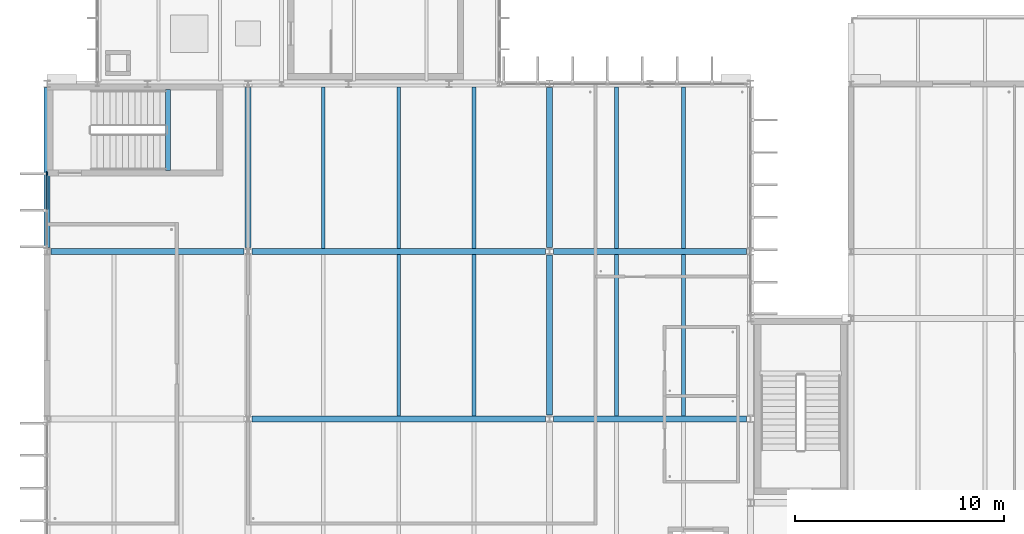
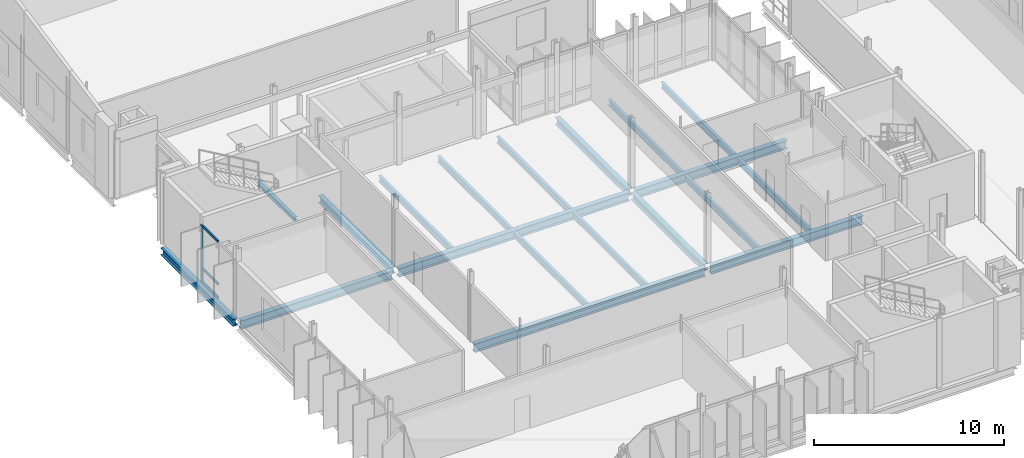
# One storey, part 19 of 93: 19 beams, 4 members, 1 element without a shape of its own.
"""IFC4 building model written with IfcOpenShell, lengths in metres."""

from ifc_helpers import new_model, si_unit, direction, frame, origin, origin_2d, place, context, subcontext, project, spatial, rectangle, i_section, extrude, material, material_profile, profile_set, type_object, element, aggregate, save


model = new_model("IFC4")

# Units and contexts
model_context = context("Model", 3, precision=1e-05, world=origin(), true_north=direction((0.0, 1.0)))
body_context = subcontext(model_context, "Body", "Model", "MODEL_VIEW")
ifc_project = project(units=[si_unit("LENGTHUNIT", "METRE"), si_unit("AREAUNIT", "SQUARE_METRE"), si_unit("VOLUMEUNIT", "CUBIC_METRE"), si_unit("PLANEANGLEUNIT", "RADIAN"), si_unit("MASSUNIT", "GRAM", prefix="KILO")], contexts=[model_context])

# Site, building, storey
site_placement = place(None, origin())
site = spatial("IfcSite", under=ifc_project, at=site_placement, CompositionType="ELEMENT")
building_placement = place(site_placement, origin())
building = spatial("IfcBuilding", under=site, at=building_placement, Name="Dunescarp Central Library", CompositionType="ELEMENT")
storey_placement = place(building_placement, frame((0.0, 0.0, 14.10009765625)))
storey = spatial("IfcBuildingStorey", under=building, at=storey_placement, Name="L03", CompositionType="ELEMENT", Elevation=14.10009765625)

# Curtain wall, members
ifc_material_1 = material(Name="Marine-grade anodised aluminium 6063-T6", Category="aluminium")
curtain_wall_type = type_object("IfcCurtainWallType", Name="ARC-CW-STICK", PredefinedType="NOTDEFINED", material=ifc_material_1)
curtain_wall_placement = place(storey_placement, origin())
curtain_wall = element("IfcCurtainWall", 1, at=curtain_wall_placement, inside=storey, type_object=curtain_wall_type, Name="L03 curtain wall CW-V1-022", PredefinedType="NOTDEFINED")
ifc_material_profile_1 = material_profile(ifc_material_1, rectangle(XDim=0.080078125, YDim=0.179931640625, at=origin_2d()), Name="AL 80x180")
ifc_profile_set_1 = profile_set([ifc_material_profile_1], Name="Marine-grade anodised aluminium 6063-T6")
member_type_1 = type_object("IfcMemberType", Name="ARC-CWM-180", PredefinedType="MULLION", material=ifc_profile_set_1)
member_1_placement = place(storey_placement, frame((0.0, 32.510009765625, 0.0), z_axis=(0.0, 0.0, 1.0), x_axis=(-1.0, 0.0, 0.0)))
member_1 = element("IfcMember", 2, at=member_1_placement, type_object=member_type_1, Name="CW-V1-022 mullion 3", PredefinedType="MULLION", context=body_context, shape_type="SweptSolid", body=[
    extrude(rectangle(XDim=0.080078125, YDim=0.179931640625, at=origin_2d()), origin(), (0.0, 0.0, 1.0), 3.6748046875),
])
ifc_material_profile_2 = material_profile(ifc_material_1, rectangle(XDim=0.080078125, YDim=0.14990234375, at=origin_2d()), Name="AL 80x150")
ifc_profile_set_2 = profile_set([ifc_material_profile_2], Name="Marine-grade anodised aluminium 6063-T6")
member_type_2 = type_object("IfcMemberType", Name="ARC-CWT-150", PredefinedType="USERDEFINED", material=ifc_profile_set_2)
member_2_placement = place(storey_placement, frame((0.0, 30.802490234375, 0.039794921875), z_axis=(0.0, 1.0, 0.0), x_axis=(-1.0, 0.0, 0.0)))
member_2 = element("IfcMember", 3, at=member_2_placement, type_object=member_type_2, Name="CW-V1-022 transom 2.1", ObjectType="TRANSOM", PredefinedType="USERDEFINED", context=body_context, shape_type="SweptSolid", body=[
    extrude(rectangle(XDim=0.080078125, YDim=0.14990234375, at=origin_2d()), origin(), (0.0, 0.0, 1.0), 1.66748046875),
])
member_3_placement = place(storey_placement, frame((0.0, 30.802490234375, 0.89990234375), z_axis=(0.0, 1.0, 0.0), x_axis=(-1.0, 0.0, 0.0)))
member_3 = element("IfcMember", 4, at=member_3_placement, type_object=member_type_2, Name="CW-V1-022 transom 2.2", ObjectType="TRANSOM", PredefinedType="USERDEFINED", context=body_context, shape_type="SweptSolid", body=[
    extrude(rectangle(XDim=0.080078125, YDim=0.14990234375, at=origin_2d()), origin(), (0.0, 0.0, 1.0), 1.66748046875),
])
member_4_placement = place(storey_placement, frame((0.0, 30.802490234375, 3.635009765625), z_axis=(0.0, 1.0, 0.0), x_axis=(-1.0, 0.0, 0.0)))
member_4 = element("IfcMember", 5, at=member_4_placement, type_object=member_type_2, Name="CW-V1-022 transom 2.3", ObjectType="TRANSOM", PredefinedType="USERDEFINED", context=body_context, shape_type="SweptSolid", body=[
    extrude(rectangle(XDim=0.080078125, YDim=0.14990234375, at=origin_2d()), origin(), (0.0, 0.0, 1.0), 1.66748046875),
])
aggregate(curtain_wall, [member_1, member_2, member_3, member_4])

# Beams
ifc_material_2 = material(Name="Steel S355JR", Category="steel")
ifc_material_profile_3 = material_profile(ifc_material_2, i_section(OverallWidth=0.300048828125, OverallDepth=0.449951171875, WebThickness=0.013916015625, FlangeThickness=0.02587890625, at=origin_2d()), Name="HEB 450")
ifc_profile_set_3 = profile_set([ifc_material_profile_3], Name="Steel S355JR")
beam_type_1 = type_object("IfcBeamType", Name="STR-BM-HEB450", PredefinedType="BEAM", material=ifc_profile_set_3)
for number, where, z_axis, x_axis, name in (
    (6, (0.0, 28.97802734375, -0.465087890625), (0.0, 1.0, 0.0), (-1.0, 0.0, 0.0), "L03 girder BM-L03-0128"),
    (7, (9.60009765625, 28.97802734375, -0.465087890625), (0.0, 1.0, 0.0), (-1.0, 0.0, 0.0), "L03 girder BM-L03-0129"),
    (8, (24.0, 20.97802734375, -0.465087890625), (0.0, 1.0, 0.0), (-1.0, 0.0, 0.0), "L03 girder BM-L03-0142"),
    (9, (24.0, 28.97802734375, -0.465087890625), (0.0, 1.0, 0.0), (-1.0, 0.0, 0.0), "L03 girder BM-L03-0147"),
):
    element("IfcBeam", number, at=place(storey_placement, frame(where, z_axis=z_axis, x_axis=x_axis)), inside=storey, type_object=beam_type_1, Name=name, PredefinedType="BEAM", context=body_context, shape_type="SweptSolid", body=[
        extrude(i_section(OverallWidth=0.300048828125, OverallDepth=0.449951171875, WebThickness=0.013916015625, FlangeThickness=0.02587890625, at=origin_2d()), origin(), (0.0, 0.0, 1.0), 7.64404296875),
    ])
ifc_material_profile_4 = material_profile(ifc_material_2, i_section(OverallWidth=0.300048828125, OverallDepth=0.550048828125, WebThickness=0.014892578125, FlangeThickness=0.029052734375, at=origin_2d()), Name="HEB 550")
ifc_profile_set_4 = profile_set([ifc_material_profile_4], Name="Steel S355JR")
beam_type_2 = type_object("IfcBeamType", Name="STR-BM-HEB550", PredefinedType="BEAM", material=ifc_profile_set_4)
beam_1_placement = place(storey_placement, frame((0.181884765625, 28.800048828125, -0.51513671875), z_axis=(1.0, 0.0, 0.0), x_axis=(0.0, 1.0, 0.0)))
element("IfcBeam", 10, at=beam_1_placement, inside=storey, type_object=beam_type_2, Name="L03 girder BM-L03-0122", PredefinedType="BEAM", context=body_context, shape_type="SweptSolid", body=[
    extrude(i_section(OverallWidth=0.300048828125, OverallDepth=0.550048828125, WebThickness=0.014892578125, FlangeThickness=0.029052734375, at=origin_2d()), origin(), (0.0, 0.0, 1.0), 9.236083984375),
])
for number, where, z_axis, x_axis, name in (
    (11, (9.781982421875, 20.800048828125, -0.51513671875), (1.0, 0.0, 0.0), (0.0, 1.0, 0.0), "L03 girder BM-L03-0136"),
    (12, (9.781982421875, 28.800048828125, -0.51513671875), (1.0, 0.0, 0.0), (0.0, 1.0, 0.0), "L03 girder BM-L03-0141"),
):
    element("IfcBeam", number, at=place(storey_placement, frame(where, z_axis=z_axis, x_axis=x_axis)), inside=storey, type_object=beam_type_2, Name=name, PredefinedType="BEAM", context=body_context, shape_type="SweptSolid", body=[
        extrude(i_section(OverallWidth=0.300048828125, OverallDepth=0.550048828125, WebThickness=0.014892578125, FlangeThickness=0.029052734375, at=origin_2d()), origin(), (0.0, 0.0, 1.0), 14.0361328125),
    ])
for number, where, z_axis, x_axis, name in (
    (13, (24.181884765625, 20.800048828125, -0.51513671875), (1.0, 0.0, 0.0), (0.0, 1.0, 0.0), "L03 girder BM-L03-0154"),
    (14, (24.181884765625, 28.800048828125, -0.51513671875), (1.0, 0.0, 0.0), (0.0, 1.0, 0.0), "L03 girder BM-L03-0158"),
):
    element("IfcBeam", number, at=place(storey_placement, frame(where, z_axis=z_axis, x_axis=x_axis)), inside=storey, type_object=beam_type_2, Name=name, PredefinedType="BEAM", context=body_context, shape_type="SweptSolid", body=[
        extrude(i_section(OverallWidth=0.300048828125, OverallDepth=0.550048828125, WebThickness=0.014892578125, FlangeThickness=0.029052734375, at=origin_2d()), origin(), (0.0, 0.0, 1.0), 9.236083984375),
    ])
ifc_material_profile_5 = material_profile(ifc_material_2, i_section(OverallWidth=0.239990234375, OverallDepth=0.22998046875, WebThickness=0.007568359375, FlangeThickness=0.011962890625, at=origin_2d()), Name="HEA 240")
ifc_profile_set_5 = profile_set([ifc_material_profile_5], Name="Steel S355JR")
beam_type_3 = type_object("IfcBeamType", Name="STR-JS-HEA240", PredefinedType="JOIST", material=ifc_profile_set_5)
beam_2_placement = place(storey_placement, frame((5.780029296875, 32.659912109375, 1.934814453125), z_axis=(0.0, 1.0, 0.0), x_axis=(-1.0, 0.0, 0.0)))
element("IfcBeam", 15, at=beam_2_placement, inside=storey, type_object=beam_type_3, Name="L03 ST-6 landing trimmer beam BM-ST-010", PredefinedType="BEAM", context=body_context, shape_type="SweptSolid", body=[
    extrude(i_section(OverallWidth=0.239990234375, OverallDepth=0.22998046875, WebThickness=0.007568359375, FlangeThickness=0.011962890625, at=origin_2d()), origin(), (0.0, 0.0, 1.0), 3.880126953125),
])
ifc_material_profile_6 = material_profile(ifc_material_2, i_section(OverallWidth=0.179931640625, OverallDepth=0.39990234375, WebThickness=0.008544921875, FlangeThickness=0.013427734375, at=origin_2d()), Name="IPE 400")
ifc_profile_set_6 = profile_set([ifc_material_profile_6], Name="Steel S355JR")
beam_type_4 = type_object("IfcBeamType", Name="STR-JS-IPE400", PredefinedType="JOIST", material=ifc_profile_set_6)
for number, where, z_axis, x_axis, name in (
    (16, (16.800048828125, 20.947998046875, -0.440185546875), (0.0, 1.0, 0.0), (-1.0, 0.0, 0.0), "L03 joist JS-L03-0144"),
    (17, (20.39990234375, 20.947998046875, -0.440185546875), (0.0, 1.0, 0.0), (-1.0, 0.0, 0.0), "L03 joist JS-L03-0145"),
    (18, (13.199951171875, 28.947998046875, -0.440185546875), (0.0, 1.0, 0.0), (-1.0, 0.0, 0.0), "L03 joist JS-L03-0148"),
    (19, (16.800048828125, 28.947998046875, -0.440185546875), (0.0, 1.0, 0.0), (-1.0, 0.0, 0.0), "L03 joist JS-L03-0149"),
    (20, (20.39990234375, 28.947998046875, -0.440185546875), (0.0, 1.0, 0.0), (-1.0, 0.0, 0.0), "L03 joist JS-L03-0150"),
    (21, (27.199951171875, 20.947998046875, -0.440185546875), (0.0, 1.0, 0.0), (-1.0, 0.0, 0.0), "L03 joist JS-L03-0160"),
    (22, (30.39990234375, 20.947998046875, -0.440185546875), (0.0, 1.0, 0.0), (-1.0, 0.0, 0.0), "L03 joist JS-L03-0161"),
    (23, (27.199951171875, 28.947998046875, -0.440185546875), (0.0, 1.0, 0.0), (-1.0, 0.0, 0.0), "L03 joist JS-L03-0164"),
    (24, (30.39990234375, 28.947998046875, -0.440185546875), (0.0, 1.0, 0.0), (-1.0, 0.0, 0.0), "L03 joist JS-L03-0165"),
):
    element("IfcBeam", number, at=place(storey_placement, frame(where, z_axis=z_axis, x_axis=x_axis)), inside=storey, type_object=beam_type_4, Name=name, PredefinedType="JOIST", context=body_context, shape_type="SweptSolid", body=[
        extrude(i_section(OverallWidth=0.179931640625, OverallDepth=0.39990234375, WebThickness=0.008544921875, FlangeThickness=0.013427734375, at=origin_2d()), origin(), (0.0, 0.0, 1.0), 7.7041015625),
    ])

save(model, "model.ifc")
